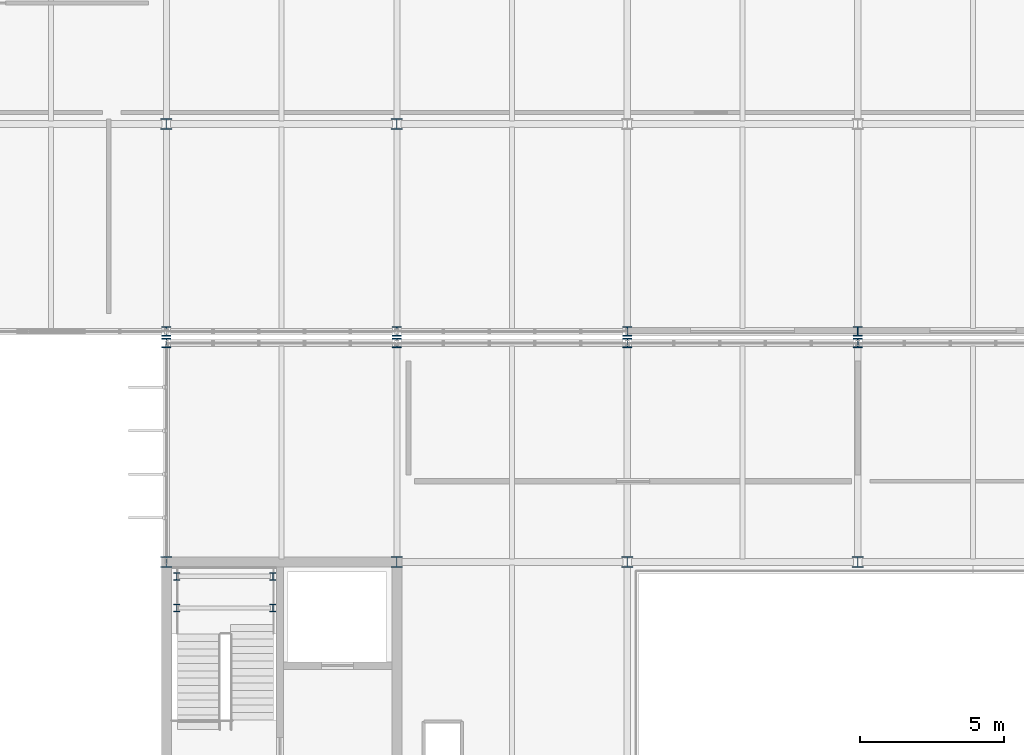
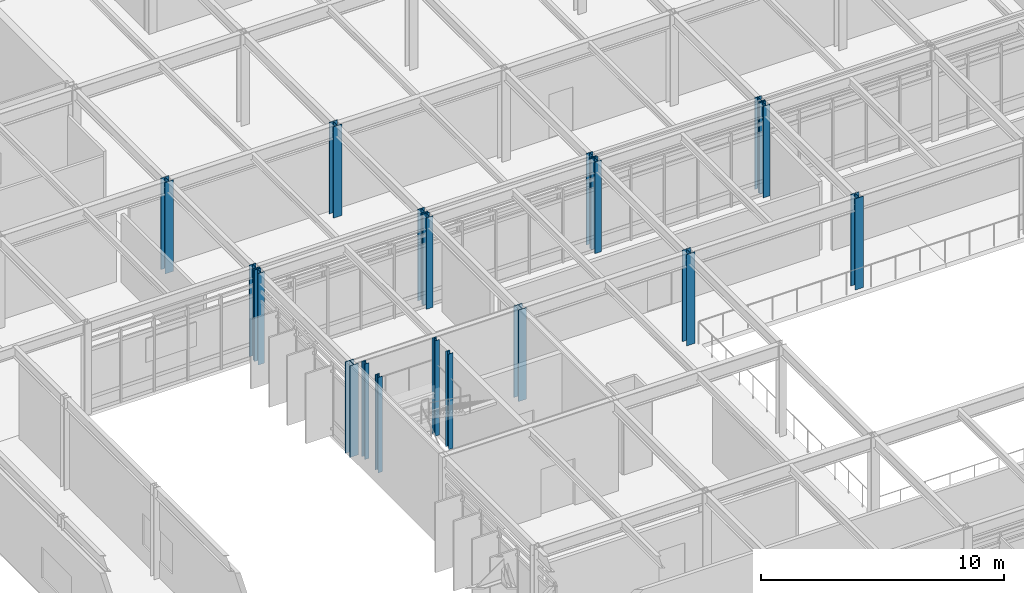
# One storey, part 11 of 104: 18 columns.
"""IFC4 building model written with IfcOpenShell, lengths in metres."""

from ifc_helpers import new_model, si_unit, direction, frame, origin, origin_2d, place, context, subcontext, project, spatial, i_section, extrude, material, material_profile, profile_set, type_object, element, save


model = new_model("IFC4")

# Units and contexts
model_context = context("Model", 3, precision=1e-05, world=origin(), true_north=direction((0.0, 1.0)))
body_context = subcontext(model_context, "Body", "Model", "MODEL_VIEW")
ifc_project = project(units=[si_unit("LENGTHUNIT", "METRE"), si_unit("AREAUNIT", "SQUARE_METRE"), si_unit("VOLUMEUNIT", "CUBIC_METRE"), si_unit("PLANEANGLEUNIT", "RADIAN"), si_unit("MASSUNIT", "GRAM", prefix="KILO")], contexts=[model_context])

# Site, building, storey
site_placement = place(None, origin())
site = spatial("IfcSite", under=ifc_project, at=site_placement, CompositionType="ELEMENT")
building_placement = place(site_placement, origin())
building = spatial("IfcBuilding", under=site, at=building_placement, Name="Zulena Civic Courthouse", CompositionType="ELEMENT")
storey_placement = place(building_placement, frame((0.0, 0.0, 10.800048828125)))
storey = spatial("IfcBuildingStorey", under=building, at=storey_placement, Name="L02", CompositionType="ELEMENT", Elevation=10.800048828125)

# Columns
ifc_material = material(Name="Steel ASTM A992 Grade 50", Category="steel")
ifc_material_profile_1 = material_profile(ifc_material, i_section(OverallWidth=0.2041015625, OverallDepth=0.257080078125, WebThickness=0.0087890625, FlangeThickness=0.015625, FilletRadius=0.0126953125, at=origin_2d()), Name="W10X45")
ifc_profile_set_1 = profile_set([ifc_material_profile_1], Name="Steel ASTM A992 Grade 50")
column_type_1 = type_object("IfcColumnType", Name="Col_W10X45", PredefinedType="COLUMN", material=ifc_profile_set_1)
for number, where, z_axis, x_axis, name in (
    (1, (68.360107421875, 36.39990234375, 0.0), (0.0, 0.0, 1.0), (1.0, 0.0, 0.0), "col:lnd:K4A:L02:0:0"),
    (2, (71.699951171875, 36.39990234375, 0.0), (0.0, 0.0, 1.0), (1.0, 0.0, 0.0), "col:lnd:K4A:L02:0:1"),
    (3, (68.360107421875, 37.5, 0.0), (0.0, 0.0, 1.0), (1.0, 0.0, 0.0), "col:lnd:K4A:L02:1:0"),
    (4, (71.699951171875, 37.5, 0.0), (0.0, 0.0, 1.0), (1.0, 0.0, 0.0), "col:lnd:K4A:L02:1:1"),
):
    element("IfcColumn", number, at=place(storey_placement, frame(where, z_axis=z_axis, x_axis=x_axis)), inside=storey, type_object=column_type_1, Name=name, PredefinedType="COLUMN", context=body_context, shape_type="SweptSolid", body=[
        extrude(i_section(OverallWidth=0.2041015625, OverallDepth=0.257080078125, WebThickness=0.0087890625, FlangeThickness=0.015625, FilletRadius=0.0126953125, at=origin_2d()), origin(), (0.0, 0.0, 1.0), 4.794921875),
    ])
ifc_material_profile_2 = material_profile(ifc_material, i_section(OverallWidth=0.31298828125, OverallDepth=0.3330078125, WebThickness=0.01806640625, FlangeThickness=0.0283203125, FilletRadius=0.01513671875, at=origin_2d()), Name="W12X120")
ifc_profile_set_2 = profile_set([ifc_material_profile_2], Name="Steel ASTM A992 Grade 50")
column_type_2 = type_object("IfcColumnType", Name="Col_W12X120", PredefinedType="COLUMN", material=ifc_profile_set_2)
for number, where, z_axis, x_axis, name in (
    (5, (68.0, 45.60009765625, 0.0), (0.0, 0.0, 1.0), (1.0, 0.0, 0.0), "col:V4:L02:68.0:45.6"),
    (6, (76.0, 45.60009765625, 0.0), (0.0, 0.0, 1.0), (1.0, 0.0, 0.0), "col:V4:L02:76.0:45.6"),
    (7, (84.0, 45.60009765625, 0.0), (0.0, 0.0, 1.0), (1.0, 0.0, 0.0), "col:V4:L02:84.0:45.6"),
    (8, (92.0, 45.60009765625, 0.0), (0.0, 0.0, 1.0), (1.0, 0.0, 0.0), "col:V4:L02:92.0:45.6"),
    (9, (68.0, 46.0, 0.0), (0.0, 0.0, 1.0), (1.0, 0.0, 0.0), "col:V5:L02:68.0:46.0"),
    (10, (76.0, 46.0, 0.0), (0.0, 0.0, 1.0), (1.0, 0.0, 0.0), "col:V5:L02:76.0:46.0"),
    (11, (84.0, 46.0, 0.0), (0.0, 0.0, 1.0), (1.0, 0.0, 0.0), "col:V5:L02:84.0:46.0"),
    (12, (92.0, 46.0, 0.0), (0.0, 0.0, 1.0), (1.0, 0.0, 0.0), "col:V5:L02:92.0:46.0"),
):
    element("IfcColumn", number, at=place(storey_placement, frame(where, z_axis=z_axis, x_axis=x_axis)), inside=storey, type_object=column_type_2, Name=name, PredefinedType="COLUMN", context=body_context, shape_type="SweptSolid", body=[
        extrude(i_section(OverallWidth=0.31298828125, OverallDepth=0.3330078125, WebThickness=0.01806640625, FlangeThickness=0.0283203125, FilletRadius=0.01513671875, at=origin_2d()), origin(), (0.0, 0.0, 1.0), 4.58984375),
    ])
ifc_material_profile_3 = material_profile(ifc_material, i_section(OverallWidth=0.39404296875, OverallDepth=0.3759765625, WebThickness=0.017333984375, FlangeThickness=0.027587890625, FilletRadius=0.01513671875, at=origin_2d()), Name="W14X145")
ifc_profile_set_3 = profile_set([ifc_material_profile_3], Name="Steel ASTM A992 Grade 50")
column_type_3 = type_object("IfcColumnType", Name="Col_W14X145", PredefinedType="COLUMN", material=ifc_profile_set_3)
for number, where, z_axis, x_axis, name in (
    (13, (76.0, 38.0, 0.0), (0.0, 0.0, 1.0), (1.0, 0.0, 0.0), "col:V4:L02:76.0:38.0"),
    (14, (84.0, 38.0, 0.0), (0.0, 0.0, 1.0), (1.0, 0.0, 0.0), "col:V4:L02:84.0:38.0"),
    (15, (92.0, 38.0, 0.0), (0.0, 0.0, 1.0), (1.0, 0.0, 0.0), "col:V4:L02:92.0:38.0"),
    (16, (68.0, 53.199951171875, 0.0), (0.0, 0.0, 1.0), (1.0, 0.0, 0.0), "col:V5:L02:68.0:53.2"),
    (17, (76.0, 53.199951171875, 0.0), (0.0, 0.0, 1.0), (1.0, 0.0, 0.0), "col:V5:L02:76.0:53.2"),
):
    element("IfcColumn", number, at=place(storey_placement, frame(where, z_axis=z_axis, x_axis=x_axis)), inside=storey, type_object=column_type_3, Name=name, PredefinedType="COLUMN", context=body_context, shape_type="SweptSolid", body=[
        extrude(i_section(OverallWidth=0.39404296875, OverallDepth=0.3759765625, WebThickness=0.017333984375, FlangeThickness=0.027587890625, FilletRadius=0.01513671875, at=origin_2d()), origin(), (0.0, 0.0, 1.0), 4.58984375),
    ])
ifc_material_profile_4 = material_profile(ifc_material, i_section(OverallWidth=0.39892578125, OverallDepth=0.386962890625, WebThickness=0.02099609375, FlangeThickness=0.033203125, FilletRadius=0.01513671875, at=origin_2d()), Name="W14X176")
ifc_profile_set_4 = profile_set([ifc_material_profile_4], Name="Steel ASTM A992 Grade 50")
column_type_4 = type_object("IfcColumnType", Name="Col_W14X176", PredefinedType="COLUMN", material=ifc_profile_set_4)
column_placement = place(storey_placement, frame((68.0, 38.0, 0.0), z_axis=(0.0, 0.0, 1.0), x_axis=(1.0, 0.0, 0.0)))
element("IfcColumn", 18, at=column_placement, inside=storey, type_object=column_type_4, Name="col:V4:L02:68.0:38.0", PredefinedType="COLUMN", context=body_context, shape_type="SweptSolid", body=[
    extrude(i_section(OverallWidth=0.39892578125, OverallDepth=0.386962890625, WebThickness=0.02099609375, FlangeThickness=0.033203125, FilletRadius=0.01513671875, at=origin_2d()), origin(), (0.0, 0.0, 1.0), 4.58984375),
])

save(model, "model.ifc")
